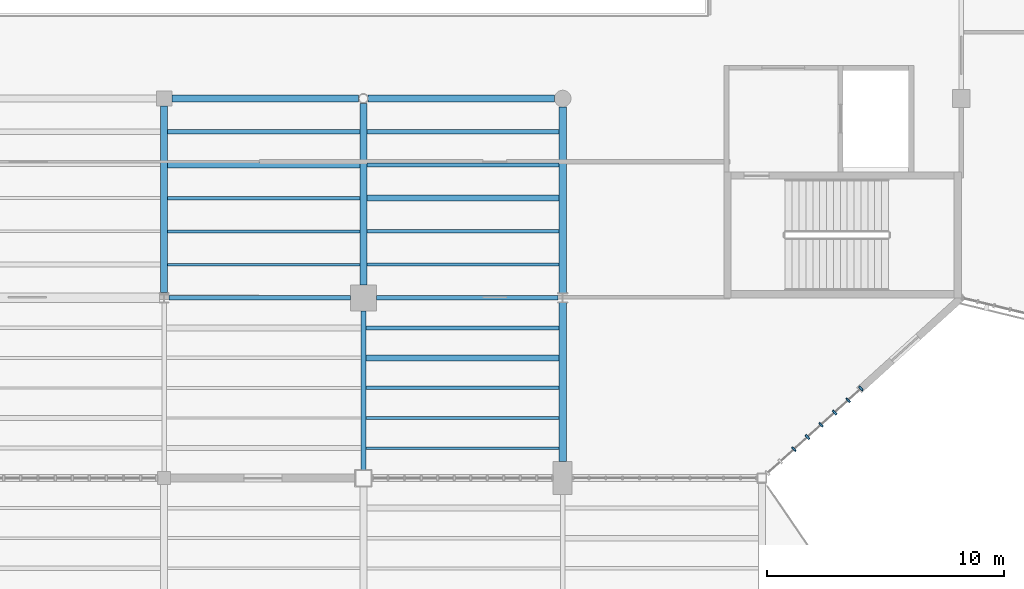
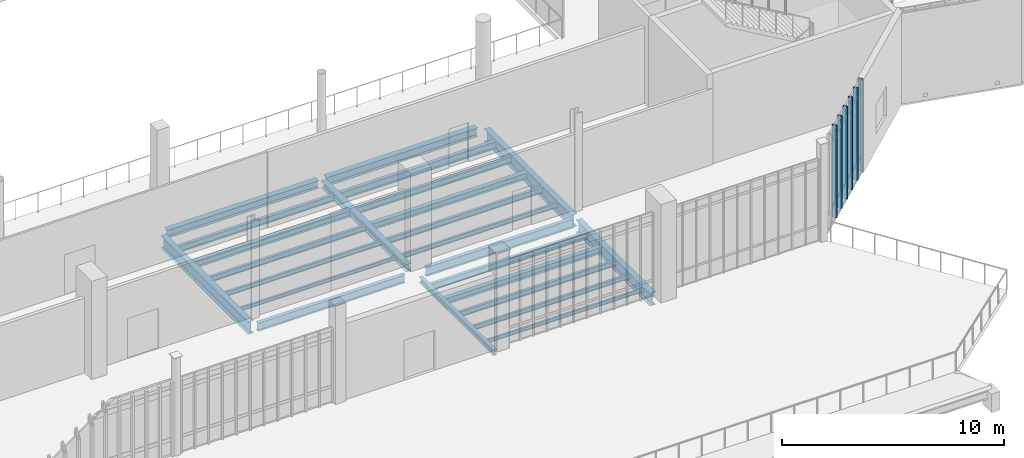
# One storey, part 19 of 127: 24 beams, 6 members, 1 element without a shape of its own.
"""IFC4 building model written with IfcOpenShell, lengths in metres."""

import ifcopenshell
import ifcopenshell.guid

model = None  # the IFC model being written
_history = None  # IfcOwnerHistory: only IFC2X3 demands one
_inside = {}  # id of a spatial element -> (the spatial element, [elements in it])
_under = {}  # id of a project, library or spatial element -> (it, [spatial elements below it])
_declared = {}  # id of a project -> (the project, [libraries it declares])
_typed = {}  # id of a type object -> (the type object, [elements of that type])
_made_of = {}  # id of a material, layer set ... -> (it, [elements and type objects made of it])


def new_model(schema):
    """Start an empty IFC model of exactly this schema.

    Asked for "IFC4X3", IfcOpenShell would pick the latest addendum, in which some entities
    have other attributes; the version numbers below select the first issue.
    IFC2X3 requires an IfcOwnerHistory on every rooted entity: one is made here for all.
    """
    global model, _history
    if schema == "IFC4X3":
        model = ifcopenshell.file(schema_version=(4, 3, 0, 0))
    else:
        model = ifcopenshell.file(schema=schema)
    _inside.clear()
    _under.clear()
    _declared.clear()
    _typed.clear()
    _made_of.clear()
    _history = None
    if model.schema == "IFC2X3":
        org = make("IfcOrganization", Name="unknown")
        user = make(
            "IfcPersonAndOrganization",
            ThePerson=make("IfcPerson", FamilyName="unknown"),
            TheOrganization=org,
        )
        app = make(
            "IfcApplication",
            ApplicationDeveloper=org,
            Version="unknown",
            ApplicationFullName="unknown",
            ApplicationIdentifier="unknown",
        )
        _history = make(
            "IfcOwnerHistory",
            OwningUser=user,
            OwningApplication=app,
            ChangeAction="ADDED",
            CreationDate=0,
        )
    return model


def make(cls, **values):
    """One entity of the class cls with the attributes given. An attribute that is None is left unset."""
    return model.create_entity(
        cls, **{name: value for name, value in values.items() if value is not None}
    )


def rooted(cls, **values):
    """An entity with a GlobalId (a new one), such as an element, a storey or a relation."""
    return make(cls, GlobalId=ifcopenshell.guid.new(), OwnerHistory=_history, **values)


def si_unit(unit_type, name, prefix=None):
    """IfcSIUnit, for example si_unit("LENGTHUNIT", "METRE", prefix="MILLI")."""
    return make("IfcSIUnit", UnitType=unit_type, Prefix=prefix, Name=name)


def assignment(units):
    """IfcUnitAssignment: the units of a project."""
    return None if units is None else make("IfcUnitAssignment", Units=units)


def point(xyz):
    """IfcCartesianPoint."""
    return None if xyz is None else make("IfcCartesianPoint", Coordinates=xyz)


def direction(xyz):
    """IfcDirection."""
    return None if xyz is None else make("IfcDirection", DirectionRatios=xyz)


def frame(location, z_axis=None, x_axis=None):
    """IfcAxis2Placement3D, a coordinate frame: its origin and axes. An axis left out is left unset."""
    return make(
        "IfcAxis2Placement3D",
        Location=point(location),
        Axis=direction(z_axis),
        RefDirection=direction(x_axis),
    )


def frame_2d(location, x_axis=None):
    """IfcAxis2Placement2D, a coordinate frame in the plane: its origin and x axis."""
    return make(
        "IfcAxis2Placement2D", Location=point(location), RefDirection=direction(x_axis)
    )


def origin():
    """The frame at (0, 0, 0) with its axes left unset."""
    return frame((0.0, 0.0, 0.0))


def origin_2d():
    """The frame at (0, 0) in the plane with its x axis left unset."""
    return frame_2d((0.0, 0.0))


def place(relative_to, where):
    """IfcLocalPlacement: puts the frame where relative to a parent placement (None: the world)."""
    return make(
        "IfcLocalPlacement", PlacementRelTo=relative_to, RelativePlacement=where
    )


def context(
    kind, dimensions, precision=None, world=None, true_north=None, identifier=None
):
    """IfcGeometricRepresentationContext, for example the 3D "Model" context."""
    return make(
        "IfcGeometricRepresentationContext",
        ContextIdentifier=identifier,
        ContextType=kind,
        CoordinateSpaceDimension=dimensions,
        Precision=precision,
        WorldCoordinateSystem=world,
        TrueNorth=true_north,
    )


def subcontext(parent, identifier, kind, view, scale=None):
    """IfcGeometricRepresentationSubContext, for example "Body" below "Model"."""
    return make(
        "IfcGeometricRepresentationSubContext",
        ContextIdentifier=identifier,
        ContextType=kind,
        ParentContext=parent,
        TargetScale=scale,
        TargetView=view,
    )


def project(units=None, contexts=None):
    """IfcProject with its units and contexts."""
    return rooted(
        "IfcProject",
        Name="project",
        RepresentationContexts=contexts,
        UnitsInContext=assignment(units),
    )


def spatial(cls, under=None, at=None, **own):
    """A site, building, storey or space (cls), placed at a placement, below another one or the project."""
    s = rooted(cls, ObjectPlacement=at, **own)
    if under is not None:
        _under.setdefault(under.id(), (under, []))[1].append(s)
    return s


def profile(cls, at=None, kind="AREA", **sizes):
    """A parametric profile (cls). Its sizes go by their IFC names, for example OverallWidth=200.0."""
    return make(cls, ProfileType=kind, Position=at, **sizes)


def rectangle(**sizes):
    """IfcRectangleProfileDef."""
    return profile("IfcRectangleProfileDef", **sizes)


def i_section(**sizes):
    """IfcIShapeProfileDef."""
    return profile("IfcIShapeProfileDef", **sizes)


def extrude(swept, where, along, depth):
    """IfcExtrudedAreaSolid: the profile swept, set in the frame where, extruded along a direction by depth."""
    return make(
        "IfcExtrudedAreaSolid",
        SweptArea=swept,
        Position=where,
        ExtrudedDirection=direction(along),
        Depth=depth,
    )


def shape(context_of_items, identifier, shape_type, items):
    """IfcShapeRepresentation: the items that make up one representation, for example the "Body"."""
    return make(
        "IfcShapeRepresentation",
        ContextOfItems=context_of_items,
        RepresentationIdentifier=identifier,
        RepresentationType=shape_type,
        Items=items,
    )


def material(Name=None, Category=None):
    """IfcMaterial."""
    return make("IfcMaterial", Name=Name, Category=Category)


def material_profile(
    of_material, cross_section, Name=None, Category=None, Priority=None
):
    """IfcMaterialProfile: a cross section and its material."""
    return make(
        "IfcMaterialProfile",
        Name=Name,
        Material=of_material,
        Profile=cross_section,
        Priority=Priority,
        Category=Category,
    )


def profile_set(profiles, Name=None, composite=None):
    """IfcMaterialProfileSet."""
    return make(
        "IfcMaterialProfileSet",
        Name=Name,
        MaterialProfiles=profiles,
        CompositeProfile=composite,
    )


def made_of(thing, what):
    """Note that an element or type object is made of a material, layer set ...; save() writes the relation."""
    if what is not None:
        _made_of.setdefault(what.id(), (what, []))[1].append(thing)
    return thing


def type_object(cls, material=None, **own):
    """A type object (cls), such as IfcWallType, which elements share."""
    return made_of(rooted(cls, **own), material)


def element(
    cls,
    number,
    at=None,
    inside=None,
    cuts=None,
    type_object=None,
    material=None,
    context=None,
    identifier="Body",
    shape_type=None,
    held_by="IfcProductDefinitionShape",
    body=None,
    shapes=None,
    **own,
):
    """One element of the class cls, such as IfcWall. Its Tag is "e" and its number.

    at: its placement. inside: the storey or other place that contains it. cuts: it is an
    opening in that element (IfcRelVoidsElement). A single representation is given by context,
    identifier, shape_type and body (its items); several are given by shapes. held_by: the class
    of the entity that holds the representations. save() writes the other relations.
    """
    e = rooted(cls, Tag="e%d" % number, ObjectPlacement=at, **own)
    if body is not None:
        shapes = [shape(context, identifier, shape_type, body)]
    if shapes is not None:
        e.Representation = make(held_by, Representations=shapes)
    if inside is not None:
        _inside.setdefault(inside.id(), (inside, []))[1].append(e)
    if cuts is not None:
        rooted(
            "IfcRelVoidsElement", RelatingBuildingElement=cuts, RelatedOpeningElement=e
        )
    if type_object is not None:
        _typed.setdefault(type_object.id(), (type_object, []))[1].append(e)
    return made_of(e, material)


def aggregate(whole, parts):
    """IfcRelAggregates: a whole, such as a stair, and the parts it consists of."""
    return rooted("IfcRelAggregates", RelatingObject=whole, RelatedObjects=parts)


def save(model, path):
    """Write the relations noted so far, then the file.

    IfcRelAggregates (storeys below a building ...), IfcRelContainedInSpatialStructure (elements
    in a storey), IfcRelDefinesByType, IfcRelAssociatesMaterial and IfcRelDeclares: one each for
    every whole, place, type object, material and project.
    """
    for whole, parts in _under.values():
        aggregate(whole, parts)
    for where, things in _inside.values():
        rooted(
            "IfcRelContainedInSpatialStructure",
            RelatedElements=things,
            RelatingStructure=where,
        )
    for kind, things in _typed.values():
        rooted("IfcRelDefinesByType", RelatedObjects=things, RelatingType=kind)
    for what, things in _made_of.values():
        rooted("IfcRelAssociatesMaterial", RelatedObjects=things, RelatingMaterial=what)
    for by, libraries in _declared.values():
        rooted("IfcRelDeclares", RelatingContext=by, RelatedDefinitions=libraries)
    model.write(path)


model = new_model("IFC4")

# Units and contexts
model_context = context("Model", 3, precision=1e-05, world=origin(), true_north=direction((0.0, 1.0)))
body_context = subcontext(model_context, "Body", "Model", "MODEL_VIEW")
ifc_project = project(units=[si_unit("LENGTHUNIT", "METRE"), si_unit("AREAUNIT", "SQUARE_METRE"), si_unit("VOLUMEUNIT", "CUBIC_METRE"), si_unit("PLANEANGLEUNIT", "RADIAN"), si_unit("MASSUNIT", "GRAM", prefix="KILO")], contexts=[model_context])

# Site, building, storey
site_placement = place(None, origin())
site = spatial("IfcSite", under=ifc_project, at=site_placement, CompositionType="ELEMENT")
building_placement = place(site_placement, origin())
building = spatial("IfcBuilding", under=site, at=building_placement, Name="Larkvane Passage Sports Hall", CompositionType="ELEMENT")
storey_placement = place(building_placement, frame((0.0, 0.0, 5.39990234375)))
storey = spatial("IfcBuildingStorey", under=building, at=storey_placement, Name="L01", CompositionType="ELEMENT", Elevation=5.39990234375)

# Beams
ifc_material_1 = material(Name="Steel S355JR", Category="steel")
ifc_material_profile_1 = material_profile(ifc_material_1, i_section(OverallWidth=0.199951171875, OverallDepth=0.2939453125, WebThickness=0.008056640625, FlangeThickness=0.011962890625, FilletRadius=0.012939453125, at=origin_2d()), Name="H-294x200x8x12")
ifc_profile_set_1 = profile_set([ifc_material_profile_1], Name="Steel S355JR")
beam_type_1 = type_object("IfcBeamType", Name="BM-STL-H294", PredefinedType="BEAM", material=ifc_profile_set_1)
beam_1_placement = place(storey_placement, frame((68.39990234375, 15.550048828125, -0.56689453125), z_axis=(0.0, 1.0, 0.0), x_axis=(-1.0, 0.0, 0.0)))
element("IfcBeam", 1, at=beam_1_placement, inside=storey, type_object=beam_type_1, Name="Girder BM5-Y-L01-10-0469", PredefinedType="BEAM", context=body_context, shape_type="SweptSolid", body=[
    extrude(i_section(OverallWidth=0.199951171875, OverallDepth=0.2939453125, WebThickness=0.008056640625, FlangeThickness=0.011962890625, FilletRadius=0.012939453125, at=origin_2d()), origin(), (0.0, 0.0, 1.0), 6.699951171875),
])
ifc_material_profile_2 = material_profile(ifc_material_1, i_section(OverallWidth=0.300048828125, OverallDepth=0.389892578125, WebThickness=0.010009765625, FlangeThickness=0.01611328125, FilletRadius=0.01806640625, at=origin_2d()), Name="H-390x300x10x16")
ifc_profile_set_2 = profile_set([ifc_material_profile_2], Name="Steel S355JR")
beam_type_2 = type_object("IfcBeamType", Name="BM-STL-H390", PredefinedType="BEAM", material=ifc_profile_set_2)
beam_2_placement = place(storey_placement, frame((68.39990234375, 23.35009765625, -0.614990234375), z_axis=(0.0, 1.0, 0.0), x_axis=(-1.0, 0.0, 0.0)))
element("IfcBeam", 2, at=beam_2_placement, inside=storey, type_object=beam_type_2, Name="Girder BM5-Y-L01-10-0470", PredefinedType="BEAM", context=body_context, shape_type="SweptSolid", body=[
    extrude(i_section(OverallWidth=0.300048828125, OverallDepth=0.389892578125, WebThickness=0.010009765625, FlangeThickness=0.01611328125, FilletRadius=0.01806640625, at=origin_2d()), origin(), (0.0, 0.0, 1.0), 7.646728515625),
])
ifc_material_profile_3 = material_profile(ifc_material_1, i_section(OverallWidth=0.300048828125, OverallDepth=0.43994140625, WebThickness=0.010986328125, FlangeThickness=0.01806640625, FilletRadius=0.01806640625, at=origin_2d()), Name="H-440x300x11x18")
ifc_profile_set_3 = profile_set([ifc_material_profile_3], Name="Steel S355JR")
beam_type_3 = type_object("IfcBeamType", Name="BM-STL-H440", PredefinedType="BEAM", material=ifc_profile_set_3)
beam_3_placement = place(storey_placement, frame((60.324951171875, 31.199951171875, -0.639892578125), z_axis=(1.0, 0.0, 0.0), x_axis=(0.0, 1.0, 0.0)))
element("IfcBeam", 3, at=beam_3_placement, inside=storey, type_object=beam_type_3, Name="Girder BM5-X-L01-E-0393", PredefinedType="BEAM", context=body_context, shape_type="SweptSolid", body=[
    extrude(i_section(OverallWidth=0.300048828125, OverallDepth=0.43994140625, WebThickness=0.010986328125, FlangeThickness=0.01806640625, FilletRadius=0.01806640625, at=origin_2d()), origin(), (0.0, 0.0, 1.0), 7.871826171875),
])
ifc_material_profile_4 = material_profile(ifc_material_1, i_section(OverallWidth=0.300048828125, OverallDepth=0.488037109375, WebThickness=0.010986328125, FlangeThickness=0.01806640625, FilletRadius=0.02197265625, at=origin_2d()), Name="H-488x300x11x18")
ifc_profile_set_4 = profile_set([ifc_material_profile_4], Name="Steel S355JR")
beam_type_4 = type_object("IfcBeamType", Name="BM-STL-H488", PredefinedType="BEAM", material=ifc_profile_set_4)
beam_4_placement = place(storey_placement, frame((68.603271484375, 31.199951171875, -0.663818359375), z_axis=(1.0, 0.0, 0.0), x_axis=(0.0, 1.0, 0.0)))
element("IfcBeam", 4, at=beam_4_placement, inside=storey, type_object=beam_type_4, Name="Girder BM5-X-L01-E-0394", PredefinedType="BEAM", context=body_context, shape_type="SweptSolid", body=[
    extrude(i_section(OverallWidth=0.300048828125, OverallDepth=0.488037109375, WebThickness=0.010986328125, FlangeThickness=0.01806640625, FilletRadius=0.02197265625, at=origin_2d()), origin(), (0.0, 0.0, 1.0), 7.8466796875),
])
ifc_material_2 = material(Name="Steel S460N", Category="steel")
ifc_material_profile_5 = material_profile(ifc_material_2, i_section(OverallWidth=0.300048828125, OverallDepth=0.69189453125, WebThickness=0.012939453125, FlangeThickness=0.02001953125, FilletRadius=0.02197265625, at=origin_2d()), Name="H-692x300x13x20")
ifc_profile_set_5 = profile_set([ifc_material_profile_5], Name="Steel S460N")
beam_type_5 = type_object("IfcBeamType", Name="BM-STL-H692", PredefinedType="BEAM", material=ifc_profile_set_5)
beam_5_placement = place(storey_placement, frame((60.0, 23.013916015625, -0.765869140625), z_axis=(0.0, 1.0, 0.0), x_axis=(-1.0, 0.0, 0.0)))
element("IfcBeam", 5, at=beam_5_placement, inside=storey, type_object=beam_type_5, Name="Girder BM5-Y-L01-9-0463", PredefinedType="BEAM", context=body_context, shape_type="SweptSolid", body=[
    extrude(i_section(OverallWidth=0.300048828125, OverallDepth=0.69189453125, WebThickness=0.012939453125, FlangeThickness=0.02001953125, FilletRadius=0.02197265625, at=origin_2d()), origin(), (0.0, 0.0, 1.0), 7.861083984375),
])
beam_6_placement = place(storey_placement, frame((76.800048828125, 15.89990234375, -0.765869140625), z_axis=(0.0, 1.0, 0.0), x_axis=(-1.0, 0.0, 0.0)))
element("IfcBeam", 6, at=beam_6_placement, inside=storey, type_object=beam_type_5, Name="Girder BM5-Y-L01-11-0476", PredefinedType="BEAM", context=body_context, shape_type="SweptSolid", body=[
    extrude(i_section(OverallWidth=0.300048828125, OverallDepth=0.69189453125, WebThickness=0.012939453125, FlangeThickness=0.02001953125, FilletRadius=0.02197265625, at=origin_2d()), origin(), (0.0, 0.0, 1.0), 6.693115234375),
])
ifc_material_profile_6 = material_profile(ifc_material_2, i_section(OverallWidth=0.300048828125, OverallDepth=0.699951171875, WebThickness=0.012939453125, FlangeThickness=0.02392578125, FilletRadius=0.02197265625, at=origin_2d()), Name="H-700x300x13x24")
ifc_profile_set_6 = profile_set([ifc_material_profile_6], Name="Steel S460N")
beam_type_6 = type_object("IfcBeamType", Name="BM-STL-H700", PredefinedType="BEAM", material=ifc_profile_set_6)
beam_7_placement = place(storey_placement, frame((76.800048828125, 23.007080078125, -0.77001953125), z_axis=(0.0, 1.0, 0.0), x_axis=(-1.0, 0.0, 0.0)))
element("IfcBeam", 7, at=beam_7_placement, inside=storey, type_object=beam_type_6, Name="Girder BM5-Y-L01-11-0477", PredefinedType="BEAM", context=body_context, shape_type="SweptSolid", body=[
    extrude(i_section(OverallWidth=0.300048828125, OverallDepth=0.699951171875, WebThickness=0.012939453125, FlangeThickness=0.02392578125, FilletRadius=0.02197265625, at=origin_2d()), origin(), (0.0, 0.0, 1.0), 7.843017578125),
])

# Curtain wall, members
ifc_material_3 = material(Name="Thermally broken aluminium and low-E glazing", Category="aluminium")
curtain_wall_type = type_object("IfcCurtainWallType", Name="CW-UNIT-VEIL", PredefinedType="USERDEFINED", material=ifc_material_3)
curtain_wall_placement = place(storey_placement, origin())
curtain_wall = element("IfcCurtainWall", 8, at=curtain_wall_placement, inside=storey, type_object=curtain_wall_type, Name="Curtain wall CW5-L01-065", ObjectType="UNITISED CURTAIN WALL", PredefinedType="USERDEFINED")
ifc_material_4 = material(Name="Anodised aluminium 6063-T6", Category="aluminium")
ifc_material_profile_7 = material_profile(ifc_material_4, rectangle(XDim=0.074951171875, YDim=0.22509765625, at=origin_2d()), Name="ALU-MUL-75x225")
ifc_profile_set_7 = profile_set([ifc_material_profile_7], Name="Anodised aluminium 6063-T6")
member_type = type_object("IfcMemberType", Name="CW-MUL-75x225", PredefinedType="MULLION", material=ifc_profile_set_7)
member_1_placement = place(storey_placement, frame((89.372314453125, 18.974853515625, 0.0), z_axis=(0.0, 0.0, 1.0), x_axis=(-0.741532699805, -0.67091672741, 0.0)))
member_1 = element("IfcMember", 9, at=member_1_placement, type_object=member_type, Name="CW-02 mullion 1", PredefinedType="MULLION", context=body_context, shape_type="SweptSolid", body=[
    extrude(rectangle(XDim=0.074951171875, YDim=0.22509765625, at=origin_2d()), origin(), (0.0, 0.0, 1.0), 5.090087890625),
])
member_2_placement = place(storey_placement, frame((88.82958984375, 18.48388671875, 0.0), z_axis=(0.0, 0.0, 1.0), x_axis=(-0.741532699805, -0.67091672741, 0.0)))
member_2 = element("IfcMember", 10, at=member_2_placement, type_object=member_type, Name="CW-02 mullion 2", PredefinedType="MULLION", context=body_context, shape_type="SweptSolid", body=[
    extrude(rectangle(XDim=0.074951171875, YDim=0.22509765625, at=origin_2d()), origin(), (0.0, 0.0, 1.0), 5.090087890625),
])
member_3_placement = place(storey_placement, frame((88.259033203125, 17.9677734375, 0.0), z_axis=(0.0, 0.0, 1.0), x_axis=(-0.741532699805, -0.67091672741, 0.0)))
member_3 = element("IfcMember", 11, at=member_3_placement, type_object=member_type, Name="CW-02 mullion 3", PredefinedType="MULLION", context=body_context, shape_type="SweptSolid", body=[
    extrude(rectangle(XDim=0.074951171875, YDim=0.22509765625, at=origin_2d()), origin(), (0.0, 0.0, 1.0), 5.090087890625),
])
member_4_placement = place(storey_placement, frame((87.6884765625, 17.451416015625, 0.0), z_axis=(0.0, 0.0, 1.0), x_axis=(-0.741532699805, -0.67091672741, 0.0)))
member_4 = element("IfcMember", 12, at=member_4_placement, type_object=member_type, Name="CW-02 mullion 4", PredefinedType="MULLION", context=body_context, shape_type="SweptSolid", body=[
    extrude(rectangle(XDim=0.074951171875, YDim=0.22509765625, at=origin_2d()), origin(), (0.0, 0.0, 1.0), 5.090087890625),
])
member_5_placement = place(storey_placement, frame((87.117919921875, 16.935302734375, 0.0), z_axis=(0.0, 0.0, 1.0), x_axis=(-0.741532699805, -0.67091672741, 0.0)))
member_5 = element("IfcMember", 13, at=member_5_placement, type_object=member_type, Name="CW-02 mullion 5", PredefinedType="MULLION", context=body_context, shape_type="SweptSolid", body=[
    extrude(rectangle(XDim=0.074951171875, YDim=0.22509765625, at=origin_2d()), origin(), (0.0, 0.0, 1.0), 5.090087890625),
])
member_6_placement = place(storey_placement, frame((86.547607421875, 16.419189453125, 0.0), z_axis=(0.0, 0.0, 1.0), x_axis=(-0.741532699805, -0.67091672741, 0.0)))
member_6 = element("IfcMember", 14, at=member_6_placement, type_object=member_type, Name="CW-02 mullion 6", PredefinedType="MULLION", context=body_context, shape_type="SweptSolid", body=[
    extrude(rectangle(XDim=0.074951171875, YDim=0.22509765625, at=origin_2d()), origin(), (0.0, 0.0, 1.0), 5.090087890625),
])
aggregate(curtain_wall, [member_1, member_2, member_3, member_4, member_5, member_6])

# Beams
ifc_material_profile_8 = material_profile(ifc_material_1, i_section(OverallWidth=0.10009765625, OverallDepth=0.199951171875, WebThickness=0.005615234375, FlangeThickness=0.008056640625, FilletRadius=0.008056640625, at=origin_2d()), Name="H-200x100x5.5x8")
ifc_profile_set_8 = profile_set([ifc_material_profile_8], Name="Steel S355JR")
beam_type_7 = type_object("IfcBeamType", Name="JST-STL-H200", PredefinedType="JOIST", material=ifc_profile_set_8)
beam_8_placement = place(storey_placement, frame((60.14990234375, 24.199951171875, -0.52001953125), z_axis=(1.0, 0.0, 0.0), x_axis=(0.0, 1.0, 0.0)))
element("IfcBeam", 15, at=beam_8_placement, inside=storey, type_object=beam_type_7, Name="Composite joist L01 9/D-1", PredefinedType="JOIST", context=body_context, shape_type="SweptSolid", body=[
    extrude(i_section(OverallWidth=0.10009765625, OverallDepth=0.199951171875, WebThickness=0.005615234375, FlangeThickness=0.008056640625, FilletRadius=0.008056640625, at=origin_2d()), origin(), (0.0, 0.0, 1.0), 8.10009765625),
])
beam_9_placement = place(storey_placement, frame((68.5, 16.466552734375, -0.52001953125), z_axis=(1.0, 0.0, 0.0), x_axis=(0.0, 1.0, 0.0)))
element("IfcBeam", 16, at=beam_9_placement, inside=storey, type_object=beam_type_7, Name="Composite joist L01 10/C-1", PredefinedType="JOIST", context=body_context, shape_type="SweptSolid", body=[
    extrude(i_section(OverallWidth=0.10009765625, OverallDepth=0.199951171875, WebThickness=0.005615234375, FlangeThickness=0.008056640625, FilletRadius=0.008056640625, at=origin_2d()), origin(), (0.0, 0.0, 1.0), 8.14990234375),
])
ifc_material_profile_9 = material_profile(ifc_material_1, i_section(OverallWidth=0.125, OverallDepth=0.25, WebThickness=0.006103515625, FlangeThickness=0.009033203125, FilletRadius=0.008056640625, at=origin_2d()), Name="H-250x125x6x9")
ifc_profile_set_9 = profile_set([ifc_material_profile_9], Name="Steel S355JR")
beam_type_8 = type_object("IfcBeamType", Name="JST-STL-H250", PredefinedType="JOIST", material=ifc_profile_set_9)
beam_10_placement = place(storey_placement, frame((60.14990234375, 25.60009765625, -0.544921875), z_axis=(1.0, 0.0, 0.0), x_axis=(0.0, 1.0, 0.0)))
element("IfcBeam", 17, at=beam_10_placement, inside=storey, type_object=beam_type_8, Name="Composite joist L01 9/D-2", PredefinedType="JOIST", context=body_context, shape_type="SweptSolid", body=[
    extrude(i_section(OverallWidth=0.125, OverallDepth=0.25, WebThickness=0.006103515625, FlangeThickness=0.009033203125, FilletRadius=0.008056640625, at=origin_2d()), origin(), (0.0, 0.0, 1.0), 8.10009765625),
])
beam_11_placement = place(storey_placement, frame((68.5, 17.7333984375, -0.544921875), z_axis=(1.0, 0.0, 0.0), x_axis=(0.0, 1.0, 0.0)))
element("IfcBeam", 18, at=beam_11_placement, inside=storey, type_object=beam_type_8, Name="Composite joist L01 10/C-2", PredefinedType="JOIST", context=body_context, shape_type="SweptSolid", body=[
    extrude(i_section(OverallWidth=0.125, OverallDepth=0.25, WebThickness=0.006103515625, FlangeThickness=0.009033203125, FilletRadius=0.008056640625, at=origin_2d()), origin(), (0.0, 0.0, 1.0), 8.14990234375),
])
beam_12_placement = place(storey_placement, frame((68.550048828125, 24.199951171875, -0.544921875), z_axis=(1.0, 0.0, 0.0), x_axis=(0.0, 1.0, 0.0)))
element("IfcBeam", 19, at=beam_12_placement, inside=storey, type_object=beam_type_8, Name="Composite joist L01 10/D-1", PredefinedType="JOIST", context=body_context, shape_type="SweptSolid", body=[
    extrude(i_section(OverallWidth=0.125, OverallDepth=0.25, WebThickness=0.006103515625, FlangeThickness=0.009033203125, FilletRadius=0.008056640625, at=origin_2d()), origin(), (0.0, 0.0, 1.0), 8.099853515625),
])
ifc_material_profile_10 = material_profile(ifc_material_1, i_section(OverallWidth=0.14990234375, OverallDepth=0.300048828125, WebThickness=0.006591796875, FlangeThickness=0.009033203125, FilletRadius=0.012939453125, at=origin_2d()), Name="H-300x150x6.5x9")
ifc_profile_set_10 = profile_set([ifc_material_profile_10], Name="Steel S355JR")
beam_type_9 = type_object("IfcBeamType", Name="JST-STL-H300", PredefinedType="JOIST", material=ifc_profile_set_10)
beam_13_placement = place(storey_placement, frame((60.14990234375, 27.0, -0.56982421875), z_axis=(1.0, 0.0, 0.0), x_axis=(0.0, 1.0, 0.0)))
element("IfcBeam", 20, at=beam_13_placement, inside=storey, type_object=beam_type_9, Name="Composite joist L01 9/D-3", PredefinedType="JOIST", context=body_context, shape_type="SweptSolid", body=[
    extrude(i_section(OverallWidth=0.14990234375, OverallDepth=0.300048828125, WebThickness=0.006591796875, FlangeThickness=0.009033203125, FilletRadius=0.012939453125, at=origin_2d()), origin(), (0.0, 0.0, 1.0), 8.10009765625),
])
beam_14_placement = place(storey_placement, frame((68.5, 19.0, -0.56982421875), z_axis=(1.0, 0.0, 0.0), x_axis=(0.0, 1.0, 0.0)))
element("IfcBeam", 21, at=beam_14_placement, inside=storey, type_object=beam_type_9, Name="Composite joist L01 10/C-3", PredefinedType="JOIST", context=body_context, shape_type="SweptSolid", body=[
    extrude(i_section(OverallWidth=0.14990234375, OverallDepth=0.300048828125, WebThickness=0.006591796875, FlangeThickness=0.009033203125, FilletRadius=0.012939453125, at=origin_2d()), origin(), (0.0, 0.0, 1.0), 8.14990234375),
])
beam_15_placement = place(storey_placement, frame((68.550048828125, 25.60009765625, -0.56982421875), z_axis=(1.0, 0.0, 0.0), x_axis=(0.0, 1.0, 0.0)))
element("IfcBeam", 22, at=beam_15_placement, inside=storey, type_object=beam_type_9, Name="Composite joist L01 10/D-2", PredefinedType="JOIST", context=body_context, shape_type="SweptSolid", body=[
    extrude(i_section(OverallWidth=0.14990234375, OverallDepth=0.300048828125, WebThickness=0.006591796875, FlangeThickness=0.009033203125, FilletRadius=0.012939453125, at=origin_2d()), origin(), (0.0, 0.0, 1.0), 8.099853515625),
])
ifc_material_profile_11 = material_profile(ifc_material_1, i_section(OverallWidth=0.25, OverallDepth=0.340087890625, WebThickness=0.009033203125, FlangeThickness=0.013916015625, FilletRadius=0.012939453125, at=origin_2d()), Name="H-340x250x9x14")
ifc_profile_set_11 = profile_set([ifc_material_profile_11], Name="Steel S355JR")
beam_type_10 = type_object("IfcBeamType", Name="JST-STL-H340", PredefinedType="JOIST", material=ifc_profile_set_11)
beam_16_placement = place(storey_placement, frame((60.14990234375, 28.39990234375, -0.58984375), z_axis=(1.0, 0.0, 0.0), x_axis=(0.0, 1.0, 0.0)))
element("IfcBeam", 23, at=beam_16_placement, inside=storey, type_object=beam_type_10, Name="Composite joist L01 9/D-4", PredefinedType="JOIST", context=body_context, shape_type="SweptSolid", body=[
    extrude(i_section(OverallWidth=0.25, OverallDepth=0.340087890625, WebThickness=0.009033203125, FlangeThickness=0.013916015625, FilletRadius=0.012939453125, at=origin_2d()), origin(), (0.0, 0.0, 1.0), 8.10009765625),
])
beam_17_placement = place(storey_placement, frame((68.5, 20.2666015625, -0.58984375), z_axis=(1.0, 0.0, 0.0), x_axis=(0.0, 1.0, 0.0)))
element("IfcBeam", 24, at=beam_17_placement, inside=storey, type_object=beam_type_10, Name="Composite joist L01 10/C-4", PredefinedType="JOIST", context=body_context, shape_type="SweptSolid", body=[
    extrude(i_section(OverallWidth=0.25, OverallDepth=0.340087890625, WebThickness=0.009033203125, FlangeThickness=0.013916015625, FilletRadius=0.012939453125, at=origin_2d()), origin(), (0.0, 0.0, 1.0), 8.14990234375),
])
beam_18_placement = place(storey_placement, frame((68.550048828125, 27.0, -0.58984375), z_axis=(1.0, 0.0, 0.0), x_axis=(0.0, 1.0, 0.0)))
element("IfcBeam", 25, at=beam_18_placement, inside=storey, type_object=beam_type_10, Name="Composite joist L01 10/D-3", PredefinedType="JOIST", context=body_context, shape_type="SweptSolid", body=[
    extrude(i_section(OverallWidth=0.25, OverallDepth=0.340087890625, WebThickness=0.009033203125, FlangeThickness=0.013916015625, FilletRadius=0.012939453125, at=origin_2d()), origin(), (0.0, 0.0, 1.0), 8.099853515625),
])
ifc_material_profile_12 = material_profile(ifc_material_1, i_section(OverallWidth=0.175048828125, OverallDepth=0.35009765625, WebThickness=0.007080078125, FlangeThickness=0.010986328125, FilletRadius=0.012939453125, at=origin_2d()), Name="H-350x175x7x11")
ifc_profile_set_12 = profile_set([ifc_material_profile_12], Name="Steel S355JR")
beam_type_11 = type_object("IfcBeamType", Name="JST-STL-H350", PredefinedType="JOIST", material=ifc_profile_set_12)
beam_19_placement = place(storey_placement, frame((60.14990234375, 29.800048828125, -0.594970703125), z_axis=(1.0, 0.0, 0.0), x_axis=(0.0, 1.0, 0.0)))
element("IfcBeam", 26, at=beam_19_placement, inside=storey, type_object=beam_type_11, Name="Composite joist L01 9/D-5", PredefinedType="JOIST", context=body_context, shape_type="SweptSolid", body=[
    extrude(i_section(OverallWidth=0.175048828125, OverallDepth=0.35009765625, WebThickness=0.007080078125, FlangeThickness=0.010986328125, FilletRadius=0.012939453125, at=origin_2d()), origin(), (0.0, 0.0, 1.0), 8.10009765625),
])
beam_20_placement = place(storey_placement, frame((68.5, 21.533447265625, -0.594970703125), z_axis=(1.0, 0.0, 0.0), x_axis=(0.0, 1.0, 0.0)))
element("IfcBeam", 27, at=beam_20_placement, inside=storey, type_object=beam_type_11, Name="Composite joist L01 10/C-5", PredefinedType="JOIST", context=body_context, shape_type="SweptSolid", body=[
    extrude(i_section(OverallWidth=0.175048828125, OverallDepth=0.35009765625, WebThickness=0.007080078125, FlangeThickness=0.010986328125, FilletRadius=0.012939453125, at=origin_2d()), origin(), (0.0, 0.0, 1.0), 8.14990234375),
])
beam_21_placement = place(storey_placement, frame((68.550048828125, 28.39990234375, -0.594970703125), z_axis=(1.0, 0.0, 0.0), x_axis=(0.0, 1.0, 0.0)))
element("IfcBeam", 28, at=beam_21_placement, inside=storey, type_object=beam_type_11, Name="Composite joist L01 10/D-4", PredefinedType="JOIST", context=body_context, shape_type="SweptSolid", body=[
    extrude(i_section(OverallWidth=0.175048828125, OverallDepth=0.35009765625, WebThickness=0.007080078125, FlangeThickness=0.010986328125, FilletRadius=0.012939453125, at=origin_2d()), origin(), (0.0, 0.0, 1.0), 8.099853515625),
])
ifc_material_profile_13 = material_profile(ifc_material_1, i_section(OverallWidth=0.199951171875, OverallDepth=0.39990234375, WebThickness=0.008056640625, FlangeThickness=0.012939453125, FilletRadius=0.012939453125, at=origin_2d()), Name="H-400x200x8x13")
ifc_profile_set_13 = profile_set([ifc_material_profile_13], Name="Steel S355JR")
beam_type_12 = type_object("IfcBeamType", Name="JST-STL-H400", PredefinedType="JOIST", material=ifc_profile_set_13)
beam_22_placement = place(storey_placement, frame((68.550048828125, 29.800048828125, -0.619873046875), z_axis=(1.0, 0.0, 0.0), x_axis=(0.0, 1.0, 0.0)))
element("IfcBeam", 29, at=beam_22_placement, inside=storey, type_object=beam_type_12, Name="Composite joist L01 10/D-5", PredefinedType="JOIST", context=body_context, shape_type="SweptSolid", body=[
    extrude(i_section(OverallWidth=0.199951171875, OverallDepth=0.39990234375, WebThickness=0.008056640625, FlangeThickness=0.012939453125, FilletRadius=0.012939453125, at=origin_2d()), origin(), (0.0, 0.0, 1.0), 8.099853515625),
])
ifc_material_profile_14 = material_profile(ifc_material_1, i_section(OverallWidth=0.199951171875, OverallDepth=0.449951171875, WebThickness=0.009033203125, FlangeThickness=0.013916015625, FilletRadius=0.01806640625, at=origin_2d()), Name="H-450x200x9x14")
ifc_profile_set_14 = profile_set([ifc_material_profile_14], Name="Steel S355JR")
beam_type_13 = type_object("IfcBeamType", Name="SP-STL-H450", PredefinedType="SPANDREL", material=ifc_profile_set_14)
beam_23_placement = place(storey_placement, frame((60.20361328125, 22.800048828125, -0.64501953125), z_axis=(1.0, 0.0, 0.0), x_axis=(0.0, 1.0, 0.0)))
element("IfcBeam", 30, at=beam_23_placement, inside=storey, type_object=beam_type_13, Name="Girder BM5-X-L01-D-0387", PredefinedType="SPANDREL", context=body_context, shape_type="SweptSolid", body=[
    extrude(i_section(OverallWidth=0.199951171875, OverallDepth=0.449951171875, WebThickness=0.009033203125, FlangeThickness=0.013916015625, FilletRadius=0.01806640625, at=origin_2d()), origin(), (0.0, 0.0, 1.0), 7.646484375),
])
ifc_material_profile_15 = material_profile(ifc_material_1, i_section(OverallWidth=0.199951171875, OverallDepth=0.5, WebThickness=0.010009765625, FlangeThickness=0.01611328125, FilletRadius=0.01806640625, at=origin_2d()), Name="H-500x200x10x16")
ifc_profile_set_15 = profile_set([ifc_material_profile_15], Name="Steel S355JR")
beam_type_14 = type_object("IfcBeamType", Name="SP-STL-H500", PredefinedType="SPANDREL", material=ifc_profile_set_15)
beam_24_placement = place(storey_placement, frame((68.949951171875, 22.800048828125, -0.669921875), z_axis=(1.0, 0.0, 0.0), x_axis=(0.0, 1.0, 0.0)))
element("IfcBeam", 31, at=beam_24_placement, inside=storey, type_object=beam_type_14, Name="Girder BM5-X-L01-D-0388", PredefinedType="SPANDREL", context=body_context, shape_type="SweptSolid", body=[
    extrude(i_section(OverallWidth=0.199951171875, OverallDepth=0.5, WebThickness=0.010009765625, FlangeThickness=0.01611328125, FilletRadius=0.01806640625, at=origin_2d()), origin(), (0.0, 0.0, 1.0), 7.6474609375),
])

save(model, "model.ifc")
